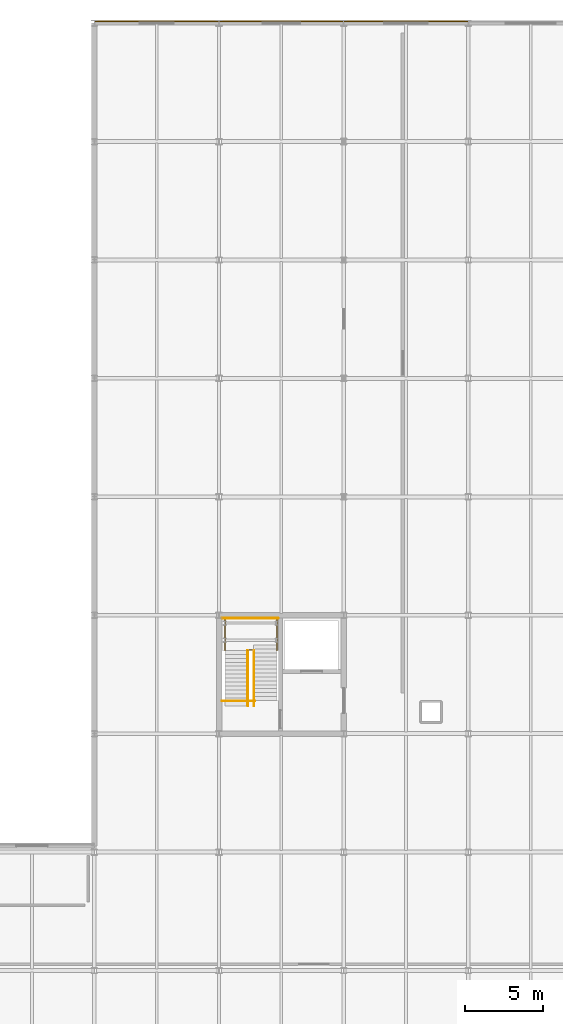
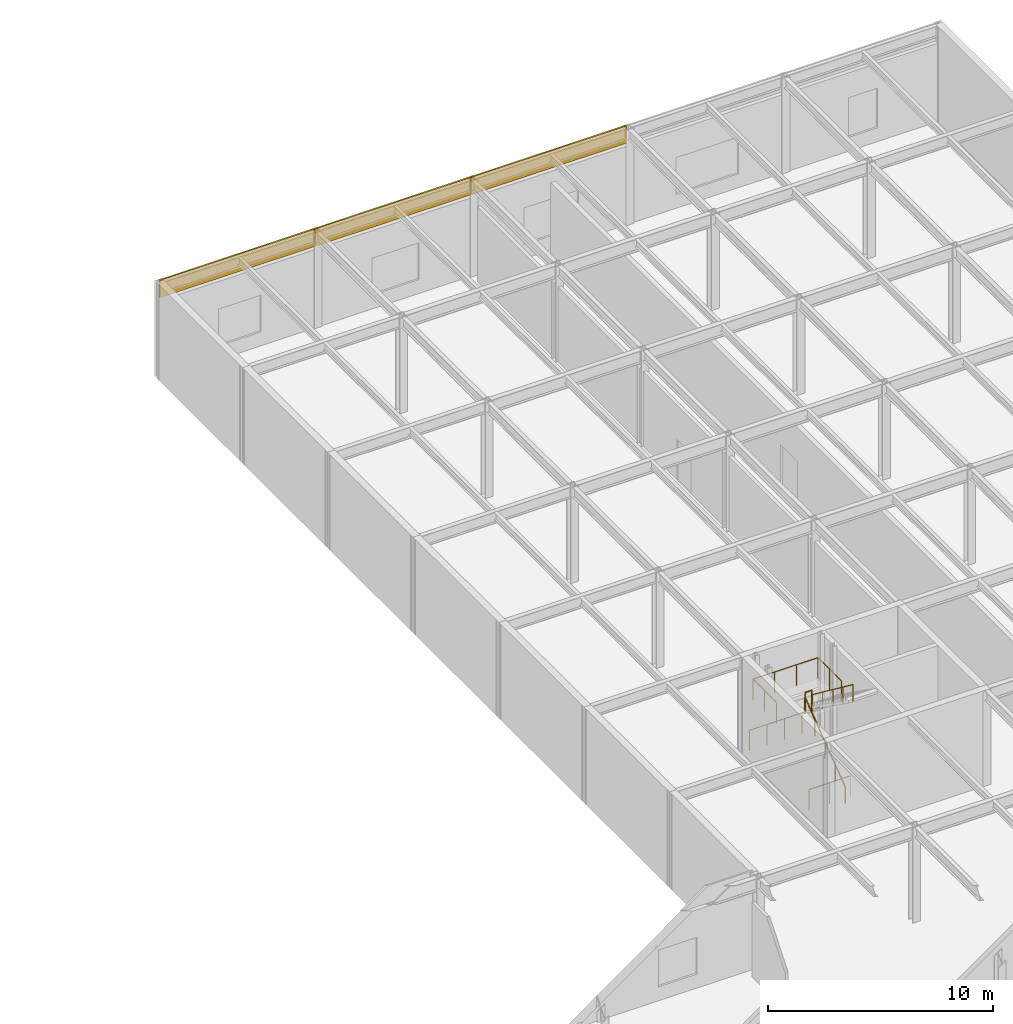
# One storey, part 92 of 94: 6 railings, 3 coverings.
"""IFC4 building model written with IfcOpenShell, lengths in metres."""

from ifc_helpers import new_model, si_unit, direction, frame, origin, origin_2d, place, context, subcontext, project, spatial, rectangle, circle, extrude, material, layer, layer_set, type_object, element, save


model = new_model("IFC4")

# Units and contexts
model_context = context("Model", 3, precision=1e-05, world=origin(), true_north=direction((0.0, 1.0)))
body_context = subcontext(model_context, "Body", "Model", "MODEL_VIEW")
ifc_project = project(units=[si_unit("LENGTHUNIT", "METRE"), si_unit("AREAUNIT", "SQUARE_METRE"), si_unit("VOLUMEUNIT", "CUBIC_METRE"), si_unit("PLANEANGLEUNIT", "RADIAN"), si_unit("MASSUNIT", "GRAM", prefix="KILO")], contexts=[model_context])

# Site, building, storey
site_placement = place(None, origin())
site = spatial("IfcSite", under=ifc_project, at=site_placement, CompositionType="ELEMENT")
building_placement = place(site_placement, origin())
building = spatial("IfcBuilding", under=site, at=building_placement, Name="Zulena Civic Courthouse", CompositionType="ELEMENT")
storey_placement = place(building_placement, frame((0.0, 0.0, 5.39990234375)))
storey = spatial("IfcBuildingStorey", under=building, at=storey_placement, Name="L01", CompositionType="ELEMENT", Elevation=5.39990234375)

# Railings
ifc_material_1 = material(Name="Brushed architectural steel ASTM A36", Category="steel")
railing_type_1 = type_object("IfcRailingType", Name="InteriorGuardrail_1150", PredefinedType="GUARDRAIL", material=ifc_material_1)
railing_1_placement = place(storey_placement, frame((76.199951171875, 75.81005859375, 0.0)))
element("IfcRailing", 1, at=railing_1_placement, inside=storey, type_object=railing_type_1, Name="gr:wellN:K5B:L00", PredefinedType="GUARDRAIL", context=body_context, shape_type="SweptSolid", body=[
    extrude(circle(Radius=0.02392578125, at=origin_2d()), frame((0.00390625, 0.0, 1.1259765625), z_axis=(1.0, 0.0, 0.0), x_axis=(0.0, 1.0, 0.0)), (0.0, 0.0, 1.0), 3.592041015625),
    extrude(circle(Radius=0.02099609375, at=origin_2d()), origin(), (0.0, 0.0, 1.0), 1.097900390625),
    extrude(circle(Radius=0.02099609375, at=origin_2d()), frame((0.89990234375, 0.0, 0.0)), (0.0, 0.0, 1.0), 1.097900390625),
    extrude(circle(Radius=0.02099609375, at=origin_2d()), frame((1.800048828125, 0.0, 0.0)), (0.0, 0.0, 1.0), 1.097900390625),
    extrude(circle(Radius=0.02099609375, at=origin_2d()), frame((2.7001953125, 0.0, 0.0)), (0.0, 0.0, 1.0), 1.097900390625),
    extrude(circle(Radius=0.02099609375, at=origin_2d()), frame((3.60009765625, 0.0, 0.0)), (0.0, 0.0, 1.0), 1.097900390625),
])
railing_2_placement = place(storey_placement, frame((76.179931640625, 70.5, 0.0)))
element("IfcRailing", 2, at=railing_2_placement, inside=storey, type_object=railing_type_1, Name="gr:wells:K5B:L01", PredefinedType="GUARDRAIL", context=body_context, shape_type="SweptSolid", body=[
    extrude(circle(Radius=0.02392578125, at=origin_2d()), frame((0.00390625, 0.0, 1.1259765625), z_axis=(1.0, 0.0, 0.0), x_axis=(0.0, 1.0, 0.0)), (0.0, 0.0, 1.0), 2.112060546875),
    extrude(circle(Radius=0.02099609375, at=origin_2d()), origin(), (0.0, 0.0, 1.0), 1.097900390625),
    extrude(circle(Radius=0.02099609375, at=origin_2d()), frame((1.06005859375, 0.0, 0.0)), (0.0, 0.0, 1.0), 1.097900390625),
    extrude(circle(Radius=0.02099609375, at=origin_2d()), frame((2.1201171875, 0.0, 0.0)), (0.0, 0.0, 1.0), 1.097900390625),
])
railing_3_placement = place(storey_placement, frame((76.3798828125, 73.74951171875, 2.7001953125)))
element("IfcRailing", 3, at=railing_3_placement, inside=storey, type_object=railing_type_1, Name="gr:lnd:K5B:L01", PredefinedType="GUARDRAIL", context=body_context, shape_type="SweptSolid", body=[
    extrude(circle(Radius=0.02392578125, at=origin_2d()), frame((0.0, 0.00390625, 1.1259765625), z_axis=(0.0, 1.0, 0.0), x_axis=(-1.0, 0.0, 0.0)), (0.0, 0.0, 1.0), 2.0625),
    extrude(circle(Radius=0.02392578125, at=origin_2d()), frame((0.00390625, 2.070556640625, 1.1259765625), z_axis=(1.0, 0.0, 0.0), x_axis=(0.0, 1.0, 0.0)), (0.0, 0.0, 1.0), 3.33203125),
    extrude(circle(Radius=0.02392578125, at=origin_2d()), frame((3.340087890625, 2.066650390625, 1.1259765625), z_axis=(0.0, -1.0, 0.0), x_axis=(1.0, 0.0, 0.0)), (0.0, 0.0, 1.0), 2.0625),
    extrude(circle(Radius=0.02099609375, at=origin_2d()), origin(), (0.0, 0.0, 1.0), 1.097900390625),
    extrude(circle(Radius=0.02099609375, at=origin_2d()), frame((0.0, 1.03515625, 0.0)), (0.0, 0.0, 1.0), 1.097900390625),
    extrude(circle(Radius=0.02099609375, at=origin_2d()), frame((0.0, 2.070556640625, 0.0)), (0.0, 0.0, 1.0), 1.097900390625),
    extrude(circle(Radius=0.02099609375, at=origin_2d()), frame((1.11328125, 2.070556640625, 0.0)), (0.0, 0.0, 1.0), 1.097900390625),
    extrude(circle(Radius=0.02099609375, at=origin_2d()), frame((2.226806640625, 2.070556640625, 0.0)), (0.0, 0.0, 1.0), 1.097900390625),
    extrude(circle(Radius=0.02099609375, at=origin_2d()), frame((3.340087890625, 2.070556640625, 0.0)), (0.0, 0.0, 1.0), 1.097900390625),
    extrude(circle(Radius=0.02099609375, at=origin_2d()), frame((3.340087890625, 1.03515625, 0.0)), (0.0, 0.0, 1.0), 1.097900390625),
    extrude(circle(Radius=0.02099609375, at=origin_2d()), frame((3.340087890625, 0.0, 0.0)), (0.0, 0.0, 1.0), 1.097900390625),
])
railing_4_placement = place(storey_placement, frame((77.8798828125, 73.77001953125, 2.7001953125)))
element("IfcRailing", 4, at=railing_4_placement, inside=storey, type_object=railing_type_1, Name="gr:lndslot:K5B:L01", PredefinedType="GUARDRAIL", context=body_context, shape_type="SweptSolid", body=[
    extrude(circle(Radius=0.02392578125, at=origin_2d()), frame((0.00390625, 0.0, 1.1259765625), z_axis=(1.0, 0.0, 0.0), x_axis=(0.0, 1.0, 0.0)), (0.0, 0.0, 1.0), 0.33203125),
    extrude(circle(Radius=0.02099609375, at=origin_2d()), origin(), (0.0, 0.0, 1.0), 1.097900390625),
    extrude(circle(Radius=0.02099609375, at=origin_2d()), frame((0.340087890625, 0.0, 0.0)), (0.0, 0.0, 1.0), 1.097900390625),
])

# Coverings
ifc_material_2 = material(Name="White architectural precast concrete C40/50", Category="concrete")
ifc_layer = layer(ifc_material_2, 0.0849609375)
ifc_layer_set = layer_set([ifc_layer], Name="White architectural precast concrete C40/50")
covering_type = type_object("IfcCoveringType", Name="PrecastSpandrelCladding_85", PredefinedType="CLADDING", material=ifc_layer_set)
for number, where, z_axis, x_axis, name in (
    (5, (72.0, 114.1201171875, 4.250244140625), (0.0, 0.0, 1.0), (1.0, 0.0, 0.0), "clad:sp:V5:L01:3:0"),
    (6, (80.0, 114.1201171875, 4.250244140625), (0.0, 0.0, 1.0), (1.0, 0.0, 0.0), "clad:sp:V5:L01:3:1"),
    (7, (88.0, 114.1201171875, 4.250244140625), (0.0, 0.0, 1.0), (1.0, 0.0, 0.0), "clad:sp:V5:L01:3:2"),
):
    element("IfcCovering", number, at=place(storey_placement, frame(where, z_axis=z_axis, x_axis=x_axis)), inside=storey, type_object=covering_type, Name=name, PredefinedType="CLADDING", context=body_context, shape_type="SweptSolid", body=[
        extrude(rectangle(XDim=7.9599609375, YDim=0.0849609375, at=origin_2d()), origin(), (0.0, 0.0, 1.0), 0.93994140625),
    ])

# Railings
railing_type_2 = type_object("IfcRailingType", Name="StairHandrail_920", PredefinedType="HANDRAIL", material=ifc_material_1)
railing_5_placement = place(storey_placement, frame((77.85009765625, 70.179931640625, 0.0)))
element("IfcRailing", 8, at=railing_5_placement, inside=storey, type_object=railing_type_2, Name="hr:K5B:L01:1", PredefinedType="HANDRAIL", context=body_context, shape_type="SweptSolid", body=[
    extrude(circle(Radius=0.02392578125, at=origin_2d()), frame((0.0, 0.003173828125, 0.898193359375), z_axis=(0.0, 0.797525546601, 0.603285175119), x_axis=(-1.0, 0.0, 0.0)), (0.0, 0.0, 1.0), 4.4677734375),
    extrude(circle(Radius=0.02099609375, at=origin_2d()), origin(), (0.0, 0.0, 1.0), 0.867919921875),
    extrude(circle(Radius=0.02099609375, at=origin_2d()), frame((0.0, 0.892333984375, 0.675048828125)), (0.0, 0.0, 1.0), 0.867919921875),
    extrude(circle(Radius=0.02099609375, at=origin_2d()), frame((0.0, 1.78466796875, 1.35009765625)), (0.0, 0.0, 1.0), 0.867919921875),
    extrude(circle(Radius=0.02099609375, at=origin_2d()), frame((0.0, 2.67724609375, 2.025146484375)), (0.0, 0.0, 1.0), 0.867919921875),
    extrude(circle(Radius=0.02099609375, at=origin_2d()), frame((0.0, 3.569580078125, 2.7001953125)), (0.0, 0.0, 1.0), 0.867919921875),
])
railing_6_placement = place(storey_placement, frame((78.25, 73.74951171875, 2.7001953125)))
element("IfcRailing", 9, at=railing_6_placement, inside=storey, type_object=railing_type_2, Name="hr:K5B:L01:2", PredefinedType="HANDRAIL", context=body_context, shape_type="SweptSolid", body=[
    extrude(circle(Radius=0.02392578125, at=origin_2d()), frame((0.0, -0.003173828125, 0.898193359375), z_axis=(0.0, -0.797551790998, 0.603250479218), x_axis=(1.0, 0.0, 0.0)), (0.0, 0.0, 1.0), 4.4677734375),
    extrude(circle(Radius=0.02099609375, at=origin_2d()), origin(), (0.0, 0.0, 1.0), 0.867919921875),
    extrude(circle(Radius=0.02099609375, at=origin_2d()), frame((0.0, -0.892333984375, 0.675048828125)), (0.0, 0.0, 1.0), 0.867919921875),
    extrude(circle(Radius=0.02099609375, at=origin_2d()), frame((0.0, -1.78466796875, 1.35009765625)), (0.0, 0.0, 1.0), 0.867919921875),
    extrude(circle(Radius=0.02099609375, at=origin_2d()), frame((0.0, -2.67724609375, 2.02490234375)), (0.0, 0.0, 1.0), 0.867919921875),
    extrude(circle(Radius=0.02099609375, at=origin_2d()), frame((0.0, -3.569580078125, 2.699951171875)), (0.0, 0.0, 1.0), 0.867919921875),
])

save(model, "model.ifc")
